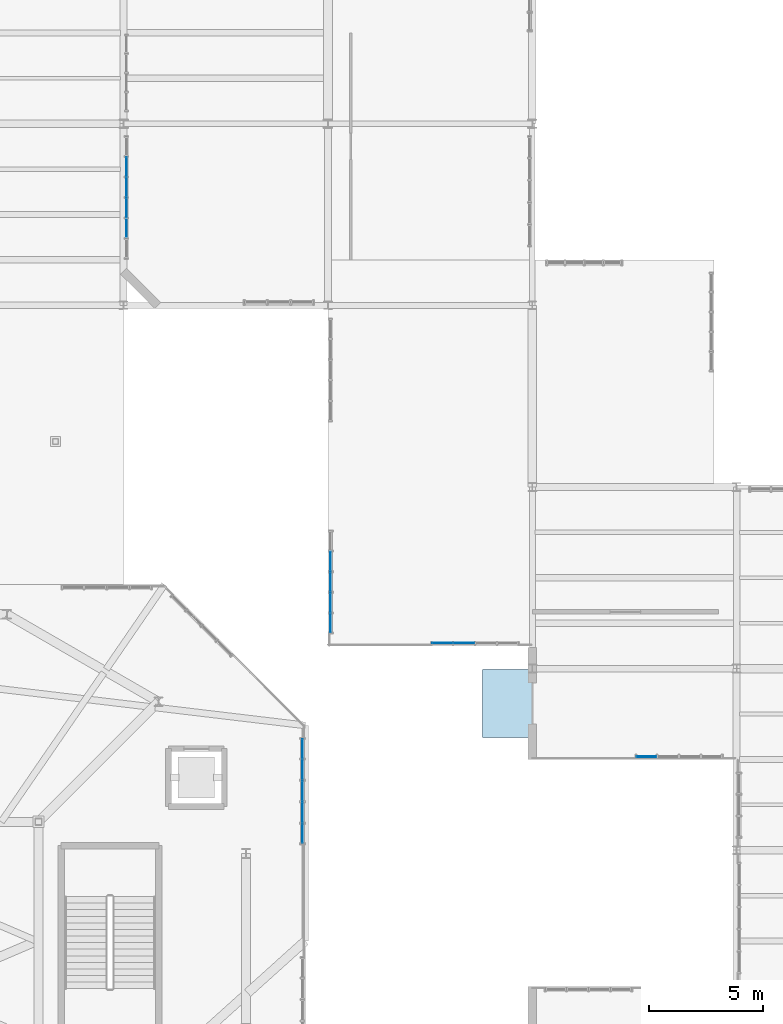
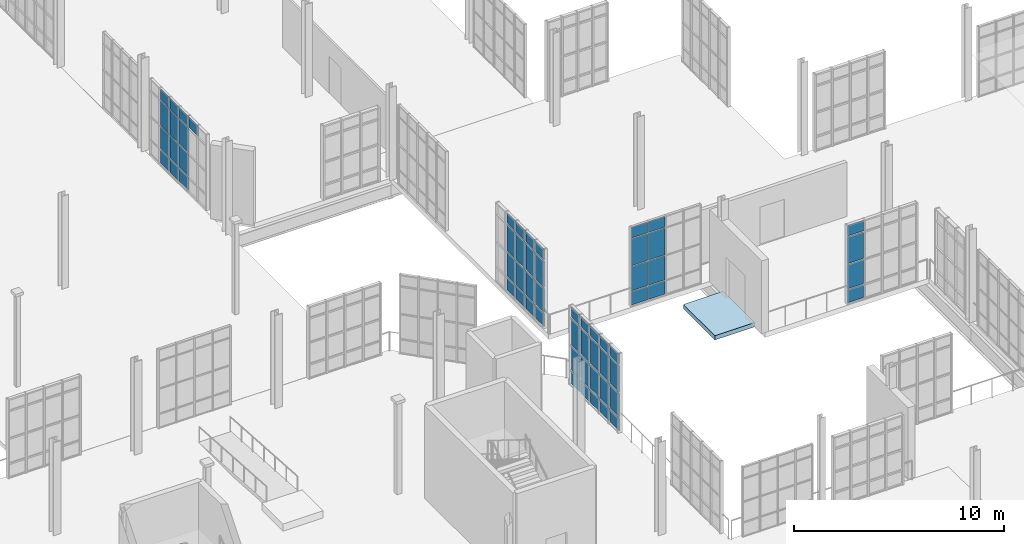
# One storey, part 154 of 189: 61 plates, 1 slab, 5 elements without a shape of their own.
"""IFC4 building model written with IfcOpenShell, lengths in metres."""

from ifc_helpers import new_model, si_unit, direction, frame, origin, origin_2d, place, context, subcontext, project, spatial, polyline, rectangle, outline, extrude, material, layer, layer_set, type_object, element, aggregate, save


model = new_model("IFC4")

# Units and contexts
model_context = context("Model", 3, precision=1e-05, world=origin(), true_north=direction((0.0, 1.0)))
body_context = subcontext(model_context, "Body", "Model", "MODEL_VIEW")
ifc_project = project(units=[si_unit("LENGTHUNIT", "METRE"), si_unit("AREAUNIT", "SQUARE_METRE"), si_unit("VOLUMEUNIT", "CUBIC_METRE"), si_unit("PLANEANGLEUNIT", "RADIAN"), si_unit("MASSUNIT", "GRAM", prefix="KILO"), si_unit("THERMODYNAMICTEMPERATUREUNIT", "KELVIN"), si_unit("POWERUNIT", "WATT")], contexts=[model_context])

# Site, building, storey
site_placement = place(None, origin())
site = spatial("IfcSite", under=ifc_project, at=site_placement, CompositionType="ELEMENT")
building_placement = place(site_placement, origin())
building = spatial("IfcBuilding", under=site, at=building_placement, Name="Zelmaris Science Centre", CompositionType="ELEMENT")
storey_placement = place(building_placement, origin())
storey = spatial("IfcBuildingStorey", under=building, at=storey_placement, Name="L00", CompositionType="ELEMENT", Elevation=0.0)

# Curtain wall, plates
ifc_material_1 = material(Name="Anodised architectural aluminium 6063-T6", Category="aluminium")
ifc_layer_1 = layer(ifc_material_1, 0.18994140625, Name="Anodised architectural aluminium 6063-T6")
ifc_layer_set_1 = layer_set([ifc_layer_1], Name="Anodised architectural aluminium 6063-T6")
curtain_wall_type_1 = type_object("IfcCurtainWallType", Name="Curtain Wall CW-01", PredefinedType="USERDEFINED", material=ifc_layer_set_1)
curtain_wall_1_placement = place(storey_placement, origin())
curtain_wall_1 = element("IfcCurtainWall", 1, at=curtain_wall_1_placement, inside=storey, type_object=curtain_wall_type_1, Name="L00 Unitised curtain wall 61", ObjectType="GLAZED CURTAIN WALL", PredefinedType="USERDEFINED")
ifc_material_2 = material(Name="Laminated hurricane-rated low-E insulated glazing", Category="glass")
ifc_layer_2 = layer(ifc_material_2, 0.031982421875, Name="Laminated hurricane-rated low-E insulated glazing")
ifc_layer_set_2 = layer_set([ifc_layer_2], Name="Laminated hurricane-rated low-E insulated glazing")
plate_type_1 = type_object("IfcPlateType", Name="Curtain Glazing Panel CWP-1 32mm", PredefinedType="CURTAIN_PANEL", material=ifc_layer_set_2)
plate_1_placement = place(storey_placement, frame((97.8798828125, 44.471435546875, 0.05712890625), z_axis=(0.0, 0.0, 1.0), x_axis=(2.1246312e-05, -0.999999999774, 0.0)))
plate_1 = element("IfcPlate", 2, at=plate_1_placement, type_object=plate_type_1, Name="CW-01 panel 1.1", PredefinedType="CURTAIN_PANEL", context=body_context, shape_type="SweptSolid", body=[
    extrude(rectangle(XDim=0.833251953125, YDim=0.031982421875, at=origin_2d()), origin(), (0.0, 0.0, 1.0), 0.741943359375),
])
plate_2_placement = place(storey_placement, frame((97.8798828125, 44.471435546875, 0.87109375), z_axis=(0.0, 0.0, 1.0), x_axis=(2.1246312e-05, -0.999999999774, 0.0)))
plate_2 = element("IfcPlate", 3, at=plate_2_placement, type_object=plate_type_1, Name="CW-01 panel 1.2", PredefinedType="CURTAIN_PANEL", context=body_context, shape_type="SweptSolid", body=[
    extrude(rectangle(XDim=0.833251953125, YDim=0.031982421875, at=origin_2d()), origin(), (0.0, 0.0, 1.0), 1.385498046875),
])
plate_3_placement = place(storey_placement, frame((97.8798828125, 44.471435546875, 2.32861328125), z_axis=(0.0, 0.0, 1.0), x_axis=(2.1246312e-05, -0.999999999774, 0.0)))
plate_3 = element("IfcPlate", 4, at=plate_3_placement, type_object=plate_type_1, Name="CW-01 panel 1.3", PredefinedType="CURTAIN_PANEL", context=body_context, shape_type="SweptSolid", body=[
    extrude(rectangle(XDim=0.833251953125, YDim=0.031982421875, at=origin_2d()), origin(), (0.0, 0.0, 1.0), 1.535400390625),
])
plate_4_placement = place(storey_placement, frame((97.8798828125, 44.471435546875, 3.93603515625), z_axis=(0.0, 0.0, 1.0), x_axis=(2.1246312e-05, -0.999999999774, 0.0)))
plate_4 = element("IfcPlate", 5, at=plate_4_placement, type_object=plate_type_1, Name="CW-01 panel 1.4", PredefinedType="CURTAIN_PANEL", context=body_context, shape_type="SweptSolid", body=[
    extrude(rectangle(XDim=0.833251953125, YDim=0.031982421875, at=origin_2d()), origin(), (0.0, 0.0, 1.0), 0.592041015625),
])
plate_5_placement = place(storey_placement, frame((97.8798828125, 43.548095703125, 0.05712890625), z_axis=(0.0, 0.0, 1.0), x_axis=(2.1246312e-05, -0.999999999774, 0.0)))
plate_5 = element("IfcPlate", 6, at=plate_5_placement, type_object=plate_type_1, Name="CW-01 panel 2.1", PredefinedType="CURTAIN_PANEL", context=body_context, shape_type="SweptSolid", body=[
    extrude(rectangle(XDim=0.869384765625, YDim=0.031982421875, at=origin_2d()), origin(), (0.0, 0.0, 1.0), 0.741943359375),
])
plate_6_placement = place(storey_placement, frame((97.8798828125, 43.548095703125, 0.87109375), z_axis=(0.0, 0.0, 1.0), x_axis=(2.1246312e-05, -0.999999999774, 0.0)))
plate_6 = element("IfcPlate", 7, at=plate_6_placement, type_object=plate_type_1, Name="CW-01 panel 2.2", PredefinedType="CURTAIN_PANEL", context=body_context, shape_type="SweptSolid", body=[
    extrude(rectangle(XDim=0.869384765625, YDim=0.031982421875, at=origin_2d()), origin(), (0.0, 0.0, 1.0), 1.385498046875),
])
plate_7_placement = place(storey_placement, frame((97.8798828125, 43.548095703125, 2.32861328125), z_axis=(0.0, 0.0, 1.0), x_axis=(2.1246312e-05, -0.999999999774, 0.0)))
plate_7 = element("IfcPlate", 8, at=plate_7_placement, type_object=plate_type_1, Name="CW-01 panel 2.3", PredefinedType="CURTAIN_PANEL", context=body_context, shape_type="SweptSolid", body=[
    extrude(rectangle(XDim=0.869384765625, YDim=0.031982421875, at=origin_2d()), origin(), (0.0, 0.0, 1.0), 1.535400390625),
])
plate_8_placement = place(storey_placement, frame((97.8798828125, 43.548095703125, 3.93603515625), z_axis=(0.0, 0.0, 1.0), x_axis=(2.1246312e-05, -0.999999999774, 0.0)))
plate_8 = element("IfcPlate", 9, at=plate_8_placement, type_object=plate_type_1, Name="CW-01 panel 2.4", PredefinedType="CURTAIN_PANEL", context=body_context, shape_type="SweptSolid", body=[
    extrude(rectangle(XDim=0.869384765625, YDim=0.031982421875, at=origin_2d()), origin(), (0.0, 0.0, 1.0), 0.592041015625),
])
plate_9_placement = place(storey_placement, frame((97.8798828125, 42.606689453125, 0.05712890625), z_axis=(0.0, 0.0, 1.0), x_axis=(2.1246312e-05, -0.999999999774, 0.0)))
plate_9 = element("IfcPlate", 10, at=plate_9_placement, type_object=plate_type_1, Name="CW-01 panel 3.1", PredefinedType="CURTAIN_PANEL", context=body_context, shape_type="SweptSolid", body=[
    extrude(rectangle(XDim=0.869384765625, YDim=0.031982421875, at=origin_2d()), origin(), (0.0, 0.0, 1.0), 0.741943359375),
])
plate_10_placement = place(storey_placement, frame((97.8798828125, 42.606689453125, 0.87109375), z_axis=(0.0, 0.0, 1.0), x_axis=(2.1246312e-05, -0.999999999774, 0.0)))
plate_10 = element("IfcPlate", 11, at=plate_10_placement, type_object=plate_type_1, Name="CW-01 panel 3.2", PredefinedType="CURTAIN_PANEL", context=body_context, shape_type="SweptSolid", body=[
    extrude(rectangle(XDim=0.869384765625, YDim=0.031982421875, at=origin_2d()), origin(), (0.0, 0.0, 1.0), 1.385498046875),
])
plate_11_placement = place(storey_placement, frame((97.8798828125, 42.606689453125, 2.32861328125), z_axis=(0.0, 0.0, 1.0), x_axis=(2.1246312e-05, -0.999999999774, 0.0)))
plate_11 = element("IfcPlate", 12, at=plate_11_placement, type_object=plate_type_1, Name="CW-01 panel 3.3", PredefinedType="CURTAIN_PANEL", context=body_context, shape_type="SweptSolid", body=[
    extrude(rectangle(XDim=0.869384765625, YDim=0.031982421875, at=origin_2d()), origin(), (0.0, 0.0, 1.0), 1.535400390625),
])
plate_12_placement = place(storey_placement, frame((97.8798828125, 42.606689453125, 3.93603515625), z_axis=(0.0, 0.0, 1.0), x_axis=(2.1246312e-05, -0.999999999774, 0.0)))
plate_12 = element("IfcPlate", 13, at=plate_12_placement, type_object=plate_type_1, Name="CW-01 panel 3.4", PredefinedType="CURTAIN_PANEL", context=body_context, shape_type="SweptSolid", body=[
    extrude(rectangle(XDim=0.869384765625, YDim=0.031982421875, at=origin_2d()), origin(), (0.0, 0.0, 1.0), 0.592041015625),
])
plate_13_placement = place(storey_placement, frame((97.8798828125, 41.665283203125, 0.05712890625), z_axis=(0.0, 0.0, 1.0), x_axis=(2.1246312e-05, -0.999999999774, 0.0)))
plate_13 = element("IfcPlate", 14, at=plate_13_placement, type_object=plate_type_1, Name="CW-01 panel 4.1", PredefinedType="CURTAIN_PANEL", context=body_context, shape_type="SweptSolid", body=[
    extrude(rectangle(XDim=0.869384765625, YDim=0.031982421875, at=origin_2d()), origin(), (0.0, 0.0, 1.0), 0.741943359375),
])
plate_14_placement = place(storey_placement, frame((97.8798828125, 41.665283203125, 0.87109375), z_axis=(0.0, 0.0, 1.0), x_axis=(2.1246312e-05, -0.999999999774, 0.0)))
plate_14 = element("IfcPlate", 15, at=plate_14_placement, type_object=plate_type_1, Name="CW-01 panel 4.2", PredefinedType="CURTAIN_PANEL", context=body_context, shape_type="SweptSolid", body=[
    extrude(rectangle(XDim=0.869384765625, YDim=0.031982421875, at=origin_2d()), origin(), (0.0, 0.0, 1.0), 1.385498046875),
])
plate_15_placement = place(storey_placement, frame((97.8798828125, 41.665283203125, 2.32861328125), z_axis=(0.0, 0.0, 1.0), x_axis=(2.1246312e-05, -0.999999999774, 0.0)))
plate_15 = element("IfcPlate", 16, at=plate_15_placement, type_object=plate_type_1, Name="CW-01 panel 4.3", PredefinedType="CURTAIN_PANEL", context=body_context, shape_type="SweptSolid", body=[
    extrude(rectangle(XDim=0.869384765625, YDim=0.031982421875, at=origin_2d()), origin(), (0.0, 0.0, 1.0), 1.535400390625),
])
plate_16_placement = place(storey_placement, frame((97.8798828125, 41.665283203125, 3.93603515625), z_axis=(0.0, 0.0, 1.0), x_axis=(2.1246312e-05, -0.999999999774, 0.0)))
plate_16 = element("IfcPlate", 17, at=plate_16_placement, type_object=plate_type_1, Name="CW-01 panel 4.4", PredefinedType="CURTAIN_PANEL", context=body_context, shape_type="SweptSolid", body=[
    extrude(rectangle(XDim=0.869384765625, YDim=0.031982421875, at=origin_2d()), origin(), (0.0, 0.0, 1.0), 0.592041015625),
])
plate_17_placement = place(storey_placement, frame((97.8798828125, 40.741943359375, 0.05712890625), z_axis=(0.0, 0.0, 1.0), x_axis=(2.1246312e-05, -0.999999999774, 0.0)))
plate_17 = element("IfcPlate", 18, at=plate_17_placement, type_object=plate_type_1, Name="CW-01 panel 5.1", PredefinedType="CURTAIN_PANEL", context=body_context, shape_type="SweptSolid", body=[
    extrude(rectangle(XDim=0.833251953125, YDim=0.031982421875, at=origin_2d()), origin(), (0.0, 0.0, 1.0), 0.741943359375),
])
plate_18_placement = place(storey_placement, frame((97.8798828125, 40.741943359375, 0.87109375), z_axis=(0.0, 0.0, 1.0), x_axis=(2.1246312e-05, -0.999999999774, 0.0)))
plate_18 = element("IfcPlate", 19, at=plate_18_placement, type_object=plate_type_1, Name="CW-01 panel 5.2", PredefinedType="CURTAIN_PANEL", context=body_context, shape_type="SweptSolid", body=[
    extrude(rectangle(XDim=0.833251953125, YDim=0.031982421875, at=origin_2d()), origin(), (0.0, 0.0, 1.0), 1.385498046875),
])
plate_19_placement = place(storey_placement, frame((97.8798828125, 40.741943359375, 2.32861328125), z_axis=(0.0, 0.0, 1.0), x_axis=(2.1246312e-05, -0.999999999774, 0.0)))
plate_19 = element("IfcPlate", 20, at=plate_19_placement, type_object=plate_type_1, Name="CW-01 panel 5.3", PredefinedType="CURTAIN_PANEL", context=body_context, shape_type="SweptSolid", body=[
    extrude(rectangle(XDim=0.833251953125, YDim=0.031982421875, at=origin_2d()), origin(), (0.0, 0.0, 1.0), 1.535400390625),
])
plate_20_placement = place(storey_placement, frame((97.8798828125, 40.741943359375, 3.93603515625), z_axis=(0.0, 0.0, 1.0), x_axis=(2.1246312e-05, -0.999999999774, 0.0)))
plate_20 = element("IfcPlate", 21, at=plate_20_placement, type_object=plate_type_1, Name="CW-01 panel 5.4", PredefinedType="CURTAIN_PANEL", context=body_context, shape_type="SweptSolid", body=[
    extrude(rectangle(XDim=0.833251953125, YDim=0.031982421875, at=origin_2d()), origin(), (0.0, 0.0, 1.0), 0.592041015625),
])
aggregate(curtain_wall_1, [plate_1, plate_2, plate_3, plate_4, plate_5, plate_6, plate_7, plate_8, plate_9, plate_10, plate_11, plate_12, plate_13, plate_14, plate_15, plate_16, plate_17, plate_18, plate_19, plate_20])

ifc_layer_3 = layer(ifc_material_1, 0.199951171875, Name="Anodised architectural aluminium 6063-T6")
ifc_layer_set_3 = layer_set([ifc_layer_3], Name="Anodised architectural aluminium 6063-T6")
curtain_wall_type_2 = type_object("IfcCurtainWallType", Name="Curtain Wall CW-02", PredefinedType="USERDEFINED", material=ifc_layer_set_3)
curtain_wall_2_placement = place(storey_placement, origin())
curtain_wall_2 = element("IfcCurtainWall", 22, at=curtain_wall_2_placement, inside=storey, type_object=curtain_wall_type_2, Name="L00 Unitised curtain wall 70", ObjectType="GLAZED CURTAIN WALL", PredefinedType="USERDEFINED")
ifc_layer_4 = layer(ifc_material_2, 0.028076171875, Name="Laminated hurricane-rated low-E insulated glazing")
ifc_layer_set_4 = layer_set([ifc_layer_4], Name="Laminated hurricane-rated low-E insulated glazing")
plate_type_2 = type_object("IfcPlateType", Name="Curtain Glazing Panel CWP-2 28mm", PredefinedType="CURTAIN_PANEL", material=ifc_layer_set_4)
plate_21_placement = place(storey_placement, frame((113.030517578125, 44.1201171875, 0.052001953125), z_axis=(0.0, 0.0, 1.0), x_axis=(-1.0, 0.0, 0.0)))
plate_21 = element("IfcPlate", 23, at=plate_21_placement, type_object=plate_type_2, Name="CW-02 panel 4.1", PredefinedType="CURTAIN_PANEL", context=body_context, shape_type="SweptSolid", body=[
    extrude(rectangle(XDim=0.866943359375, YDim=0.028076171875, at=origin_2d()), origin(), (0.0, 0.0, 1.0), 0.74951171875),
])
plate_22_placement = place(storey_placement, frame((113.030517578125, 44.1201171875, 0.86865234375), z_axis=(0.0, 0.0, 1.0), x_axis=(-1.0, 0.0, 0.0)))
plate_22 = element("IfcPlate", 24, at=plate_22_placement, type_object=plate_type_2, Name="CW-02 panel 4.2", PredefinedType="CURTAIN_PANEL", context=body_context, shape_type="SweptSolid", body=[
    extrude(rectangle(XDim=0.866943359375, YDim=0.028076171875, at=origin_2d()), origin(), (0.0, 0.0, 1.0), 1.390380859375),
])
plate_23_placement = place(storey_placement, frame((113.030517578125, 44.1201171875, 2.325927734375), z_axis=(0.0, 0.0, 1.0), x_axis=(-1.0, 0.0, 0.0)))
plate_23 = element("IfcPlate", 25, at=plate_23_placement, type_object=plate_type_2, Name="CW-02 panel 4.3", PredefinedType="CURTAIN_PANEL", context=body_context, shape_type="SweptSolid", body=[
    extrude(rectangle(XDim=0.866943359375, YDim=0.028076171875, at=origin_2d()), origin(), (0.0, 0.0, 1.0), 1.54052734375),
])
plate_24_placement = place(storey_placement, frame((113.030517578125, 44.1201171875, 3.933349609375), z_axis=(0.0, 0.0, 1.0), x_axis=(-1.0, 0.0, 0.0)))
plate_24 = element("IfcPlate", 26, at=plate_24_placement, type_object=plate_type_2, Name="CW-02 panel 4.4", PredefinedType="CURTAIN_PANEL", context=body_context, shape_type="SweptSolid", body=[
    extrude(rectangle(XDim=0.866943359375, YDim=0.028076171875, at=origin_2d()), origin(), (0.0, 0.0, 1.0), 0.599609375),
])
aggregate(curtain_wall_2, [plate_21, plate_22, plate_23, plate_24])

curtain_wall_3_placement = place(storey_placement, origin())
curtain_wall_3 = element("IfcCurtainWall", 27, at=curtain_wall_3_placement, inside=storey, type_object=curtain_wall_type_2, Name="L00 Unitised curtain wall 74", ObjectType="GLAZED CURTAIN WALL", PredefinedType="USERDEFINED")
plate_25_placement = place(storey_placement, frame((99.11962890625, 50.011962890625, 0.052001953125), z_axis=(0.0, 0.0, 1.0), x_axis=(-0.00048358019, 0.999999883075, 0.0)))
plate_25 = element("IfcPlate", 28, at=plate_25_placement, type_object=plate_type_2, Name="CW-02 panel 1.1", PredefinedType="CURTAIN_PANEL", context=body_context, shape_type="SweptSolid", body=[
    extrude(rectangle(XDim=0.809326171875, YDim=0.028076171875, at=origin_2d()), origin(), (0.0, 0.0, 1.0), 0.74951171875),
])
plate_26_placement = place(storey_placement, frame((99.11962890625, 50.011962890625, 0.86865234375), z_axis=(0.0, 0.0, 1.0), x_axis=(-0.00048358019, 0.999999883075, 0.0)))
plate_26 = element("IfcPlate", 29, at=plate_26_placement, type_object=plate_type_2, Name="CW-02 panel 1.2", PredefinedType="CURTAIN_PANEL", context=body_context, shape_type="SweptSolid", body=[
    extrude(rectangle(XDim=0.809326171875, YDim=0.028076171875, at=origin_2d()), origin(), (0.0, 0.0, 1.0), 1.390380859375),
])
plate_27_placement = place(storey_placement, frame((99.11962890625, 50.011962890625, 2.325927734375), z_axis=(0.0, 0.0, 1.0), x_axis=(-0.00048358019, 0.999999883075, 0.0)))
plate_27 = element("IfcPlate", 30, at=plate_27_placement, type_object=plate_type_2, Name="CW-02 panel 1.3", PredefinedType="CURTAIN_PANEL", context=body_context, shape_type="SweptSolid", body=[
    extrude(rectangle(XDim=0.809326171875, YDim=0.028076171875, at=origin_2d()), origin(), (0.0, 0.0, 1.0), 1.54052734375),
])
plate_28_placement = place(storey_placement, frame((99.11962890625, 50.011962890625, 3.933349609375), z_axis=(0.0, 0.0, 1.0), x_axis=(-0.00048358019, 0.999999883075, 0.0)))
plate_28 = element("IfcPlate", 31, at=plate_28_placement, type_object=plate_type_2, Name="CW-02 panel 1.4", PredefinedType="CURTAIN_PANEL", context=body_context, shape_type="SweptSolid", body=[
    extrude(rectangle(XDim=0.809326171875, YDim=0.028076171875, at=origin_2d()), origin(), (0.0, 0.0, 1.0), 0.599609375),
])
plate_29_placement = place(storey_placement, frame((99.119140625, 50.905029296875, 0.052001953125), z_axis=(0.0, 0.0, 1.0), x_axis=(-0.00048358019, 0.999999883075, 0.0)))
plate_29 = element("IfcPlate", 32, at=plate_29_placement, type_object=plate_type_2, Name="CW-02 panel 2.1", PredefinedType="CURTAIN_PANEL", context=body_context, shape_type="SweptSolid", body=[
    extrude(rectangle(XDim=0.8427734375, YDim=0.028076171875, at=origin_2d()), origin(), (0.0, 0.0, 1.0), 0.74951171875),
])
plate_30_placement = place(storey_placement, frame((99.119140625, 50.905029296875, 0.86865234375), z_axis=(0.0, 0.0, 1.0), x_axis=(-0.00048358019, 0.999999883075, 0.0)))
plate_30 = element("IfcPlate", 33, at=plate_30_placement, type_object=plate_type_2, Name="CW-02 panel 2.2", PredefinedType="CURTAIN_PANEL", context=body_context, shape_type="SweptSolid", body=[
    extrude(rectangle(XDim=0.8427734375, YDim=0.028076171875, at=origin_2d()), origin(), (0.0, 0.0, 1.0), 1.390380859375),
])
plate_31_placement = place(storey_placement, frame((99.119140625, 50.905029296875, 2.325927734375), z_axis=(0.0, 0.0, 1.0), x_axis=(-0.00048358019, 0.999999883075, 0.0)))
plate_31 = element("IfcPlate", 34, at=plate_31_placement, type_object=plate_type_2, Name="CW-02 panel 2.3", PredefinedType="CURTAIN_PANEL", context=body_context, shape_type="SweptSolid", body=[
    extrude(rectangle(XDim=0.8427734375, YDim=0.028076171875, at=origin_2d()), origin(), (0.0, 0.0, 1.0), 1.54052734375),
])
plate_32_placement = place(storey_placement, frame((99.119140625, 50.905029296875, 3.933349609375), z_axis=(0.0, 0.0, 1.0), x_axis=(-0.00048358019, 0.999999883075, 0.0)))
plate_32 = element("IfcPlate", 35, at=plate_32_placement, type_object=plate_type_2, Name="CW-02 panel 2.4", PredefinedType="CURTAIN_PANEL", context=body_context, shape_type="SweptSolid", body=[
    extrude(rectangle(XDim=0.8427734375, YDim=0.028076171875, at=origin_2d()), origin(), (0.0, 0.0, 1.0), 0.599609375),
])
plate_33_placement = place(storey_placement, frame((99.11865234375, 51.81494140625, 0.052001953125), z_axis=(0.0, 0.0, 1.0), x_axis=(-0.00048358019, 0.999999883075, 0.0)))
plate_33 = element("IfcPlate", 36, at=plate_33_placement, type_object=plate_type_2, Name="CW-02 panel 3.1", PredefinedType="CURTAIN_PANEL", context=body_context, shape_type="SweptSolid", body=[
    extrude(rectangle(XDim=0.8427734375, YDim=0.028076171875, at=origin_2d()), origin(), (0.0, 0.0, 1.0), 0.74951171875),
])
plate_34_placement = place(storey_placement, frame((99.11865234375, 51.81494140625, 0.86865234375), z_axis=(0.0, 0.0, 1.0), x_axis=(-0.00048358019, 0.999999883075, 0.0)))
plate_34 = element("IfcPlate", 37, at=plate_34_placement, type_object=plate_type_2, Name="CW-02 panel 3.2", PredefinedType="CURTAIN_PANEL", context=body_context, shape_type="SweptSolid", body=[
    extrude(rectangle(XDim=0.8427734375, YDim=0.028076171875, at=origin_2d()), origin(), (0.0, 0.0, 1.0), 1.390380859375),
])
plate_35_placement = place(storey_placement, frame((99.11865234375, 51.81494140625, 2.325927734375), z_axis=(0.0, 0.0, 1.0), x_axis=(-0.00048358019, 0.999999883075, 0.0)))
plate_35 = element("IfcPlate", 38, at=plate_35_placement, type_object=plate_type_2, Name="CW-02 panel 3.3", PredefinedType="CURTAIN_PANEL", context=body_context, shape_type="SweptSolid", body=[
    extrude(rectangle(XDim=0.8427734375, YDim=0.028076171875, at=origin_2d()), origin(), (0.0, 0.0, 1.0), 1.54052734375),
])
plate_36_placement = place(storey_placement, frame((99.11865234375, 51.81494140625, 3.933349609375), z_axis=(0.0, 0.0, 1.0), x_axis=(-0.00048358019, 0.999999883075, 0.0)))
plate_36 = element("IfcPlate", 39, at=plate_36_placement, type_object=plate_type_2, Name="CW-02 panel 3.4", PredefinedType="CURTAIN_PANEL", context=body_context, shape_type="SweptSolid", body=[
    extrude(rectangle(XDim=0.8427734375, YDim=0.028076171875, at=origin_2d()), origin(), (0.0, 0.0, 1.0), 0.599609375),
])
plate_37_placement = place(storey_placement, frame((99.1181640625, 52.724853515625, 0.052001953125), z_axis=(0.0, 0.0, 1.0), x_axis=(-0.00048358019, 0.999999883075, 0.0)))
plate_37 = element("IfcPlate", 40, at=plate_37_placement, type_object=plate_type_2, Name="CW-02 panel 4.1", PredefinedType="CURTAIN_PANEL", context=body_context, shape_type="SweptSolid", body=[
    extrude(rectangle(XDim=0.8427734375, YDim=0.028076171875, at=origin_2d()), origin(), (0.0, 0.0, 1.0), 0.74951171875),
])
plate_38_placement = place(storey_placement, frame((99.1181640625, 52.724853515625, 0.86865234375), z_axis=(0.0, 0.0, 1.0), x_axis=(-0.00048358019, 0.999999883075, 0.0)))
plate_38 = element("IfcPlate", 41, at=plate_38_placement, type_object=plate_type_2, Name="CW-02 panel 4.2", PredefinedType="CURTAIN_PANEL", context=body_context, shape_type="SweptSolid", body=[
    extrude(rectangle(XDim=0.8427734375, YDim=0.028076171875, at=origin_2d()), origin(), (0.0, 0.0, 1.0), 1.390380859375),
])
plate_39_placement = place(storey_placement, frame((99.1181640625, 52.724853515625, 2.325927734375), z_axis=(0.0, 0.0, 1.0), x_axis=(-0.00048358019, 0.999999883075, 0.0)))
plate_39 = element("IfcPlate", 42, at=plate_39_placement, type_object=plate_type_2, Name="CW-02 panel 4.3", PredefinedType="CURTAIN_PANEL", context=body_context, shape_type="SweptSolid", body=[
    extrude(rectangle(XDim=0.8427734375, YDim=0.028076171875, at=origin_2d()), origin(), (0.0, 0.0, 1.0), 1.54052734375),
])
plate_40_placement = place(storey_placement, frame((99.1181640625, 52.724853515625, 3.933349609375), z_axis=(0.0, 0.0, 1.0), x_axis=(-0.00048358019, 0.999999883075, 0.0)))
plate_40 = element("IfcPlate", 43, at=plate_40_placement, type_object=plate_type_2, Name="CW-02 panel 4.4", PredefinedType="CURTAIN_PANEL", context=body_context, shape_type="SweptSolid", body=[
    extrude(rectangle(XDim=0.8427734375, YDim=0.028076171875, at=origin_2d()), origin(), (0.0, 0.0, 1.0), 0.599609375),
])
aggregate(curtain_wall_3, [plate_25, plate_26, plate_27, plate_28, plate_29, plate_30, plate_31, plate_32, plate_33, plate_34, plate_35, plate_36, plate_37, plate_38, plate_39, plate_40])

ifc_layer_5 = layer(ifc_material_1, 0.2099609375, Name="Anodised architectural aluminium 6063-T6")
ifc_layer_set_5 = layer_set([ifc_layer_5], Name="Anodised architectural aluminium 6063-T6")
curtain_wall_type_3 = type_object("IfcCurtainWallType", Name="Curtain Wall CW-03", PredefinedType="USERDEFINED", material=ifc_layer_set_5)
curtain_wall_4_placement = place(storey_placement, origin())
curtain_wall_4 = element("IfcCurtainWall", 44, at=curtain_wall_4_placement, inside=storey, type_object=curtain_wall_type_3, Name="L00 Unitised curtain wall 79", ObjectType="GLAZED CURTAIN WALL", PredefinedType="USERDEFINED")
ifc_layer_6 = layer(ifc_material_2, 0.02587890625, Name="Laminated hurricane-rated low-E insulated glazing")
ifc_layer_set_6 = layer_set([ifc_layer_6], Name="Laminated hurricane-rated low-E insulated glazing")
plate_type_3 = type_object("IfcPlateType", Name="Curtain Glazing Panel CWP-3 26mm", PredefinedType="CURTAIN_PANEL", material=ifc_layer_set_6)
plate_41_placement = place(storey_placement, frame((90.1201171875, 67.39501953125, 3.73046875), z_axis=(0.0, 0.0, 1.0), x_axis=(0.0, 1.0, 0.0)))
plate_41 = element("IfcPlate", 45, at=plate_41_placement, type_object=plate_type_3, Name="CW-03 panel 2.4", PredefinedType="CURTAIN_PANEL", context=body_context, shape_type="SweptSolid", body=[
    extrude(rectangle(XDim=0.846435546875, YDim=0.02587890625, at=origin_2d()), origin(), (0.0, 0.0, 1.0), 0.614501953125),
])
plate_42_placement = place(storey_placement, frame((90.1201171875, 68.29833984375, 0.0419921875), z_axis=(0.0, 0.0, 1.0), x_axis=(0.0, 1.0, 0.0)))
plate_42 = element("IfcPlate", 46, at=plate_42_placement, type_object=plate_type_3, Name="CW-03 panel 3.1", PredefinedType="CURTAIN_PANEL", context=body_context, shape_type="SweptSolid", body=[
    extrude(rectangle(XDim=0.846435546875, YDim=0.02587890625, at=origin_2d()), origin(), (0.0, 0.0, 1.0), 0.764404296875),
])
plate_43_placement = place(storey_placement, frame((90.1201171875, 68.29833984375, 0.86328125), z_axis=(0.0, 0.0, 1.0), x_axis=(0.0, 1.0, 0.0)))
plate_43 = element("IfcPlate", 47, at=plate_43_placement, type_object=plate_type_3, Name="CW-03 panel 3.2", PredefinedType="CURTAIN_PANEL", context=body_context, shape_type="SweptSolid", body=[
    extrude(rectangle(XDim=0.846435546875, YDim=0.02587890625, at=origin_2d()), origin(), (0.0, 0.0, 1.0), 1.301513671875),
])
plate_44_placement = place(storey_placement, frame((90.1201171875, 68.29833984375, 2.22216796875), z_axis=(0.0, 0.0, 1.0), x_axis=(0.0, 1.0, 0.0)))
plate_44 = element("IfcPlate", 48, at=plate_44_placement, type_object=plate_type_3, Name="CW-03 panel 3.3", PredefinedType="CURTAIN_PANEL", context=body_context, shape_type="SweptSolid", body=[
    extrude(rectangle(XDim=0.846435546875, YDim=0.02587890625, at=origin_2d()), origin(), (0.0, 0.0, 1.0), 1.451416015625),
])
plate_45_placement = place(storey_placement, frame((90.1201171875, 68.29833984375, 3.73046875), z_axis=(0.0, 0.0, 1.0), x_axis=(0.0, 1.0, 0.0)))
plate_45 = element("IfcPlate", 49, at=plate_45_placement, type_object=plate_type_3, Name="CW-03 panel 3.4", PredefinedType="CURTAIN_PANEL", context=body_context, shape_type="SweptSolid", body=[
    extrude(rectangle(XDim=0.846435546875, YDim=0.02587890625, at=origin_2d()), origin(), (0.0, 0.0, 1.0), 0.614501953125),
])
plate_46_placement = place(storey_placement, frame((90.1201171875, 69.20166015625, 0.0419921875), z_axis=(0.0, 0.0, 1.0), x_axis=(0.0, 1.0, 0.0)))
plate_46 = element("IfcPlate", 50, at=plate_46_placement, type_object=plate_type_3, Name="CW-03 panel 4.1", PredefinedType="CURTAIN_PANEL", context=body_context, shape_type="SweptSolid", body=[
    extrude(rectangle(XDim=0.846435546875, YDim=0.02587890625, at=origin_2d()), origin(), (0.0, 0.0, 1.0), 0.764404296875),
])
plate_47_placement = place(storey_placement, frame((90.1201171875, 69.20166015625, 0.86328125), z_axis=(0.0, 0.0, 1.0), x_axis=(0.0, 1.0, 0.0)))
plate_47 = element("IfcPlate", 51, at=plate_47_placement, type_object=plate_type_3, Name="CW-03 panel 4.2", PredefinedType="CURTAIN_PANEL", context=body_context, shape_type="SweptSolid", body=[
    extrude(rectangle(XDim=0.846435546875, YDim=0.02587890625, at=origin_2d()), origin(), (0.0, 0.0, 1.0), 1.301513671875),
])
plate_48_placement = place(storey_placement, frame((90.1201171875, 69.20166015625, 2.22216796875), z_axis=(0.0, 0.0, 1.0), x_axis=(0.0, 1.0, 0.0)))
plate_48 = element("IfcPlate", 52, at=plate_48_placement, type_object=plate_type_3, Name="CW-03 panel 4.3", PredefinedType="CURTAIN_PANEL", context=body_context, shape_type="SweptSolid", body=[
    extrude(rectangle(XDim=0.846435546875, YDim=0.02587890625, at=origin_2d()), origin(), (0.0, 0.0, 1.0), 1.451416015625),
])
plate_49_placement = place(storey_placement, frame((90.1201171875, 69.20166015625, 3.73046875), z_axis=(0.0, 0.0, 1.0), x_axis=(0.0, 1.0, 0.0)))
plate_49 = element("IfcPlate", 53, at=plate_49_placement, type_object=plate_type_3, Name="CW-03 panel 4.4", PredefinedType="CURTAIN_PANEL", context=body_context, shape_type="SweptSolid", body=[
    extrude(rectangle(XDim=0.846435546875, YDim=0.02587890625, at=origin_2d()), origin(), (0.0, 0.0, 1.0), 0.614501953125),
])
plate_50_placement = place(storey_placement, frame((90.1201171875, 70.10498046875, 0.0419921875), z_axis=(0.0, 0.0, 1.0), x_axis=(0.0, 1.0, 0.0)))
plate_50 = element("IfcPlate", 54, at=plate_50_placement, type_object=plate_type_3, Name="CW-03 panel 5.1", PredefinedType="CURTAIN_PANEL", context=body_context, shape_type="SweptSolid", body=[
    extrude(rectangle(XDim=0.846435546875, YDim=0.02587890625, at=origin_2d()), origin(), (0.0, 0.0, 1.0), 0.764404296875),
])
plate_51_placement = place(storey_placement, frame((90.1201171875, 70.10498046875, 0.86328125), z_axis=(0.0, 0.0, 1.0), x_axis=(0.0, 1.0, 0.0)))
plate_51 = element("IfcPlate", 55, at=plate_51_placement, type_object=plate_type_3, Name="CW-03 panel 5.2", PredefinedType="CURTAIN_PANEL", context=body_context, shape_type="SweptSolid", body=[
    extrude(rectangle(XDim=0.846435546875, YDim=0.02587890625, at=origin_2d()), origin(), (0.0, 0.0, 1.0), 1.301513671875),
])
plate_52_placement = place(storey_placement, frame((90.1201171875, 70.10498046875, 2.22216796875), z_axis=(0.0, 0.0, 1.0), x_axis=(0.0, 1.0, 0.0)))
plate_52 = element("IfcPlate", 56, at=plate_52_placement, type_object=plate_type_3, Name="CW-03 panel 5.3", PredefinedType="CURTAIN_PANEL", context=body_context, shape_type="SweptSolid", body=[
    extrude(rectangle(XDim=0.846435546875, YDim=0.02587890625, at=origin_2d()), origin(), (0.0, 0.0, 1.0), 1.451416015625),
])
plate_53_placement = place(storey_placement, frame((90.1201171875, 70.10498046875, 3.73046875), z_axis=(0.0, 0.0, 1.0), x_axis=(0.0, 1.0, 0.0)))
plate_53 = element("IfcPlate", 57, at=plate_53_placement, type_object=plate_type_3, Name="CW-03 panel 5.4", PredefinedType="CURTAIN_PANEL", context=body_context, shape_type="SweptSolid", body=[
    extrude(rectangle(XDim=0.846435546875, YDim=0.02587890625, at=origin_2d()), origin(), (0.0, 0.0, 1.0), 0.614501953125),
])
aggregate(curtain_wall_4, [plate_41, plate_42, plate_43, plate_44, plate_45, plate_46, plate_47, plate_48, plate_49, plate_50, plate_51, plate_52, plate_53])

ifc_layer_7 = layer(ifc_material_1, 0.219970703125, Name="Anodised architectural aluminium 6063-T6")
ifc_layer_set_7 = layer_set([ifc_layer_7], Name="Anodised architectural aluminium 6063-T6")
curtain_wall_type_4 = type_object("IfcCurtainWallType", Name="Curtain Wall CW-04", PredefinedType="USERDEFINED", material=ifc_layer_set_7)
curtain_wall_5_placement = place(storey_placement, origin())
curtain_wall_5 = element("IfcCurtainWall", 58, at=curtain_wall_5_placement, inside=storey, type_object=curtain_wall_type_4, Name="L00 Unitised curtain wall 72", ObjectType="GLAZED CURTAIN WALL", PredefinedType="USERDEFINED")
ifc_layer_8 = layer(ifc_material_2, 0.02392578125, Name="Laminated hurricane-rated low-E insulated glazing")
ifc_layer_set_8 = layer_set([ifc_layer_8], Name="Laminated hurricane-rated low-E insulated glazing")
plate_type_4 = type_object("IfcPlateType", Name="Curtain Glazing Panel CWP-4 24mm", PredefinedType="CURTAIN_PANEL", material=ifc_layer_set_8)
plate_54_placement = place(storey_placement, frame((104.9931640625, 49.118408203125, 0.037109375), z_axis=(0.0, 0.0, 1.0), x_axis=(-0.999999959785, 0.00028360017, 0.0)))
plate_54 = element("IfcPlate", 59, at=plate_54_placement, type_object=plate_type_4, Name="CW-04 panel 3.1", PredefinedType="CURTAIN_PANEL", context=body_context, shape_type="SweptSolid", body=[
    extrude(rectangle(XDim=0.917724609375, YDim=0.02392578125, at=origin_2d()), origin(), (0.0, 0.0, 1.0), 0.77197265625),
])
plate_55_placement = place(storey_placement, frame((104.9931640625, 49.118408203125, 0.86083984375), z_axis=(0.0, 0.0, 1.0), x_axis=(-0.999999959785, 0.00028360017, 0.0)))
plate_55 = element("IfcPlate", 60, at=plate_55_placement, type_object=plate_type_4, Name="CW-04 panel 3.2", PredefinedType="CURTAIN_PANEL", context=body_context, shape_type="SweptSolid", body=[
    extrude(rectangle(XDim=0.917724609375, YDim=0.02392578125, at=origin_2d()), origin(), (0.0, 0.0, 1.0), 1.405517578125),
])
plate_56_placement = place(storey_placement, frame((104.9931640625, 49.118408203125, 2.318359375), z_axis=(0.0, 0.0, 1.0), x_axis=(-0.999999959785, 0.00028360017, 0.0)))
plate_56 = element("IfcPlate", 61, at=plate_56_placement, type_object=plate_type_4, Name="CW-04 panel 3.3", PredefinedType="CURTAIN_PANEL", context=body_context, shape_type="SweptSolid", body=[
    extrude(rectangle(XDim=0.917724609375, YDim=0.02392578125, at=origin_2d()), origin(), (0.0, 0.0, 1.0), 1.555419921875),
])
plate_57_placement = place(storey_placement, frame((104.9931640625, 49.118408203125, 3.926025390625), z_axis=(0.0, 0.0, 1.0), x_axis=(-0.999999959785, 0.00028360017, 0.0)))
plate_57 = element("IfcPlate", 62, at=plate_57_placement, type_object=plate_type_4, Name="CW-04 panel 3.4", PredefinedType="CURTAIN_PANEL", context=body_context, shape_type="SweptSolid", body=[
    extrude(rectangle(XDim=0.917724609375, YDim=0.02392578125, at=origin_2d()), origin(), (0.0, 0.0, 1.0), 0.6220703125),
])
plate_58_placement = place(storey_placement, frame((104.03662109375, 49.11865234375, 0.037109375), z_axis=(0.0, 0.0, 1.0), x_axis=(-0.999999959785, 0.00028360017, 0.0)))
plate_58 = element("IfcPlate", 63, at=plate_58_placement, type_object=plate_type_4, Name="CW-04 panel 4.1", PredefinedType="CURTAIN_PANEL", context=body_context, shape_type="SweptSolid", body=[
    extrude(rectangle(XDim=0.8916015625, YDim=0.02392578125, at=origin_2d()), origin(), (0.0, 0.0, 1.0), 0.77197265625),
])
plate_59_placement = place(storey_placement, frame((104.03662109375, 49.11865234375, 0.86083984375), z_axis=(0.0, 0.0, 1.0), x_axis=(-0.999999959785, 0.00028360017, 0.0)))
plate_59 = element("IfcPlate", 64, at=plate_59_placement, type_object=plate_type_4, Name="CW-04 panel 4.2", PredefinedType="CURTAIN_PANEL", context=body_context, shape_type="SweptSolid", body=[
    extrude(rectangle(XDim=0.8916015625, YDim=0.02392578125, at=origin_2d()), origin(), (0.0, 0.0, 1.0), 1.405517578125),
])
plate_60_placement = place(storey_placement, frame((104.03662109375, 49.11865234375, 2.318359375), z_axis=(0.0, 0.0, 1.0), x_axis=(-0.999999959785, 0.00028360017, 0.0)))
plate_60 = element("IfcPlate", 65, at=plate_60_placement, type_object=plate_type_4, Name="CW-04 panel 4.3", PredefinedType="CURTAIN_PANEL", context=body_context, shape_type="SweptSolid", body=[
    extrude(rectangle(XDim=0.8916015625, YDim=0.02392578125, at=origin_2d()), origin(), (0.0, 0.0, 1.0), 1.555419921875),
])
plate_61_placement = place(storey_placement, frame((104.03662109375, 49.11865234375, 3.926025390625), z_axis=(0.0, 0.0, 1.0), x_axis=(-0.999999959785, 0.00028360017, 0.0)))
plate_61 = element("IfcPlate", 66, at=plate_61_placement, type_object=plate_type_4, Name="CW-04 panel 4.4", PredefinedType="CURTAIN_PANEL", context=body_context, shape_type="SweptSolid", body=[
    extrude(rectangle(XDim=0.8916015625, YDim=0.02392578125, at=origin_2d()), origin(), (0.0, 0.0, 1.0), 0.6220703125),
])
aggregate(curtain_wall_5, [plate_54, plate_55, plate_56, plate_57, plate_58, plate_59, plate_60, plate_61])

# Slab
ifc_material_3 = material(Name="Concrete C40/50", Category="concrete")
ifc_layer_9 = layer(ifc_material_3, 0.25, Name="Concrete C40/50")
ifc_layer_set_9 = layer_set([ifc_layer_9], Name="Concrete C40/50")
slab_type = type_object("IfcSlabType", Name="Slab SL-TR250 250mm", PredefinedType="FLOOR", material=ifc_layer_set_9)
slab_placement = place(storey_placement, frame((0.0, 0.0, -0.25)))
element("IfcSlab", 67, at=slab_placement, inside=storey, type_object=slab_type, Name="L00 Exterior threshold apron 7", PredefinedType="FLOOR", context=body_context, shape_type="SweptSolid", body=[
    extrude(outline(polyline([(105.800048828125, 44.969970703125), (105.800048828125, 47.969970703125), (107.989990234375, 47.97021484375), (107.989990234375, 44.97021484375), (105.800048828125, 44.969970703125)])), origin(), (0.0, 0.0, 1.0), 0.25),
])

save(model, "model.ifc")
